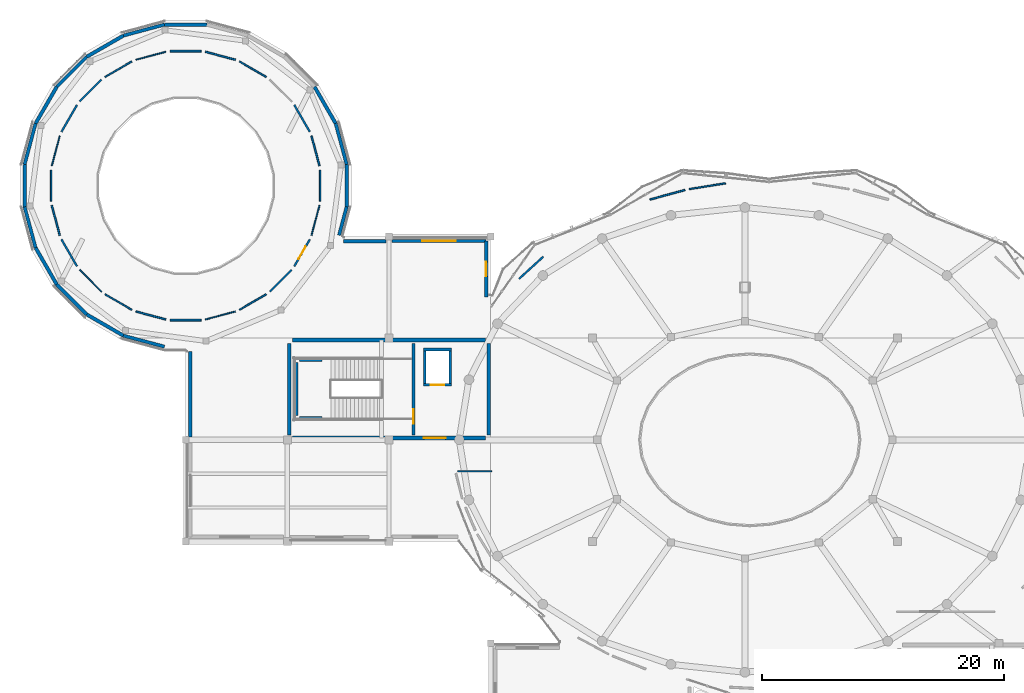
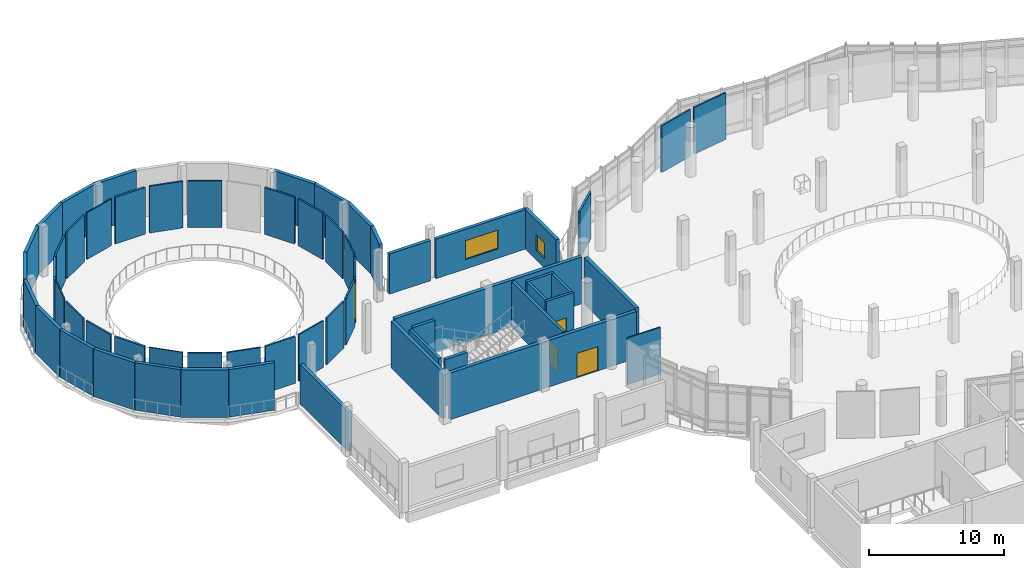
# One storey, part 30 of 46: 59 walls, 4 doors, 2 windows, 6 openings.
"""IFC4 building model written with IfcOpenShell, lengths in metres."""

import ifcopenshell
import ifcopenshell.guid

model = None  # the IFC model being written
_history = None  # IfcOwnerHistory: only IFC2X3 demands one
_inside = {}  # id of a spatial element -> (the spatial element, [elements in it])
_under = {}  # id of a project, library or spatial element -> (it, [spatial elements below it])
_declared = {}  # id of a project -> (the project, [libraries it declares])
_typed = {}  # id of a type object -> (the type object, [elements of that type])
_made_of = {}  # id of a material, layer set ... -> (it, [elements and type objects made of it])


def new_model(schema):
    """Start an empty IFC model of exactly this schema.

    Asked for "IFC4X3", IfcOpenShell would pick the latest addendum, in which some entities
    have other attributes; the version numbers below select the first issue.
    IFC2X3 requires an IfcOwnerHistory on every rooted entity: one is made here for all.
    """
    global model, _history
    if schema == "IFC4X3":
        model = ifcopenshell.file(schema_version=(4, 3, 0, 0))
    else:
        model = ifcopenshell.file(schema=schema)
    _inside.clear()
    _under.clear()
    _declared.clear()
    _typed.clear()
    _made_of.clear()
    _history = None
    if model.schema == "IFC2X3":
        org = make("IfcOrganization", Name="unknown")
        user = make(
            "IfcPersonAndOrganization",
            ThePerson=make("IfcPerson", FamilyName="unknown"),
            TheOrganization=org,
        )
        app = make(
            "IfcApplication",
            ApplicationDeveloper=org,
            Version="unknown",
            ApplicationFullName="unknown",
            ApplicationIdentifier="unknown",
        )
        _history = make(
            "IfcOwnerHistory",
            OwningUser=user,
            OwningApplication=app,
            ChangeAction="ADDED",
            CreationDate=0,
        )
    return model


def make(cls, **values):
    """One entity of the class cls with the attributes given. An attribute that is None is left unset."""
    return model.create_entity(
        cls, **{name: value for name, value in values.items() if value is not None}
    )


def rooted(cls, **values):
    """An entity with a GlobalId (a new one), such as an element, a storey or a relation."""
    return make(cls, GlobalId=ifcopenshell.guid.new(), OwnerHistory=_history, **values)


def si_unit(unit_type, name, prefix=None):
    """IfcSIUnit, for example si_unit("LENGTHUNIT", "METRE", prefix="MILLI")."""
    return make("IfcSIUnit", UnitType=unit_type, Prefix=prefix, Name=name)


def derived_unit(unit_type, elements):
    """IfcDerivedUnit: a product of units, each with its exponent."""
    return make(
        "IfcDerivedUnit",
        Elements=[
            make("IfcDerivedUnitElement", Unit=unit, Exponent=power)
            for unit, power in elements
        ],
        UnitType=unit_type,
    )


def assignment(units):
    """IfcUnitAssignment: the units of a project."""
    return None if units is None else make("IfcUnitAssignment", Units=units)


def point(xyz):
    """IfcCartesianPoint."""
    return None if xyz is None else make("IfcCartesianPoint", Coordinates=xyz)


def direction(xyz):
    """IfcDirection."""
    return None if xyz is None else make("IfcDirection", DirectionRatios=xyz)


def frame(location, z_axis=None, x_axis=None):
    """IfcAxis2Placement3D, a coordinate frame: its origin and axes. An axis left out is left unset."""
    return make(
        "IfcAxis2Placement3D",
        Location=point(location),
        Axis=direction(z_axis),
        RefDirection=direction(x_axis),
    )


def frame_2d(location, x_axis=None):
    """IfcAxis2Placement2D, a coordinate frame in the plane: its origin and x axis."""
    return make(
        "IfcAxis2Placement2D", Location=point(location), RefDirection=direction(x_axis)
    )


def origin():
    """The frame at (0, 0, 0) with its axes left unset."""
    return frame((0.0, 0.0, 0.0))


def place(relative_to, where):
    """IfcLocalPlacement: puts the frame where relative to a parent placement (None: the world)."""
    return make(
        "IfcLocalPlacement", PlacementRelTo=relative_to, RelativePlacement=where
    )


def context(
    kind, dimensions, precision=None, world=None, true_north=None, identifier=None
):
    """IfcGeometricRepresentationContext, for example the 3D "Model" context."""
    return make(
        "IfcGeometricRepresentationContext",
        ContextIdentifier=identifier,
        ContextType=kind,
        CoordinateSpaceDimension=dimensions,
        Precision=precision,
        WorldCoordinateSystem=world,
        TrueNorth=true_north,
    )


def subcontext(parent, identifier, kind, view, scale=None):
    """IfcGeometricRepresentationSubContext, for example "Body" below "Model"."""
    return make(
        "IfcGeometricRepresentationSubContext",
        ContextIdentifier=identifier,
        ContextType=kind,
        ParentContext=parent,
        TargetScale=scale,
        TargetView=view,
    )


def project(units=None, contexts=None):
    """IfcProject with its units and contexts."""
    return rooted(
        "IfcProject",
        Name="project",
        RepresentationContexts=contexts,
        UnitsInContext=assignment(units),
    )


def spatial(cls, under=None, at=None, **own):
    """A site, building, storey or space (cls), placed at a placement, below another one or the project."""
    s = rooted(cls, ObjectPlacement=at, **own)
    if under is not None:
        _under.setdefault(under.id(), (under, []))[1].append(s)
    return s


def profile(cls, at=None, kind="AREA", **sizes):
    """A parametric profile (cls). Its sizes go by their IFC names, for example OverallWidth=200.0."""
    return make(cls, ProfileType=kind, Position=at, **sizes)


def rectangle(**sizes):
    """IfcRectangleProfileDef."""
    return profile("IfcRectangleProfileDef", **sizes)


def extrude(swept, where, along, depth):
    """IfcExtrudedAreaSolid: the profile swept, set in the frame where, extruded along a direction by depth."""
    return make(
        "IfcExtrudedAreaSolid",
        SweptArea=swept,
        Position=where,
        ExtrudedDirection=direction(along),
        Depth=depth,
    )


def shape(context_of_items, identifier, shape_type, items):
    """IfcShapeRepresentation: the items that make up one representation, for example the "Body"."""
    return make(
        "IfcShapeRepresentation",
        ContextOfItems=context_of_items,
        RepresentationIdentifier=identifier,
        RepresentationType=shape_type,
        Items=items,
    )


def material(Name=None, Category=None):
    """IfcMaterial."""
    return make("IfcMaterial", Name=Name, Category=Category)


def layer(
    of_material, thickness, ventilated=None, Name=None, Category=None, Priority=None
):
    """IfcMaterialLayer: one layer of a wall or slab, of a material (None: an air gap)."""
    return make(
        "IfcMaterialLayer",
        Material=of_material,
        LayerThickness=thickness,
        IsVentilated=ventilated,
        Name=Name,
        Category=Category,
        Priority=Priority,
    )


def layer_set(layers, Name=None):
    """IfcMaterialLayerSet."""
    return make("IfcMaterialLayerSet", MaterialLayers=layers, LayerSetName=Name)


def made_of(thing, what):
    """Note that an element or type object is made of a material, layer set ...; save() writes the relation."""
    if what is not None:
        _made_of.setdefault(what.id(), (what, []))[1].append(thing)
    return thing


def type_object(cls, material=None, **own):
    """A type object (cls), such as IfcWallType, which elements share."""
    return made_of(rooted(cls, **own), material)


def element(
    cls,
    number,
    at=None,
    inside=None,
    cuts=None,
    type_object=None,
    material=None,
    context=None,
    identifier="Body",
    shape_type=None,
    held_by="IfcProductDefinitionShape",
    body=None,
    shapes=None,
    **own,
):
    """One element of the class cls, such as IfcWall. Its Tag is "e" and its number.

    at: its placement. inside: the storey or other place that contains it. cuts: it is an
    opening in that element (IfcRelVoidsElement). A single representation is given by context,
    identifier, shape_type and body (its items); several are given by shapes. held_by: the class
    of the entity that holds the representations. save() writes the other relations.
    """
    e = rooted(cls, Tag="e%d" % number, ObjectPlacement=at, **own)
    if body is not None:
        shapes = [shape(context, identifier, shape_type, body)]
    if shapes is not None:
        e.Representation = make(held_by, Representations=shapes)
    if inside is not None:
        _inside.setdefault(inside.id(), (inside, []))[1].append(e)
    if cuts is not None:
        rooted(
            "IfcRelVoidsElement", RelatingBuildingElement=cuts, RelatedOpeningElement=e
        )
    if type_object is not None:
        _typed.setdefault(type_object.id(), (type_object, []))[1].append(e)
    return made_of(e, material)


def fill(opening, filler):
    """IfcRelFillsElement: the door or window that sits in an opening."""
    return rooted(
        "IfcRelFillsElement",
        RelatingOpeningElement=opening,
        RelatedBuildingElement=filler,
    )


def aggregate(whole, parts):
    """IfcRelAggregates: a whole, such as a stair, and the parts it consists of."""
    return rooted("IfcRelAggregates", RelatingObject=whole, RelatedObjects=parts)


def save(model, path):
    """Write the relations noted so far, then the file.

    IfcRelAggregates (storeys below a building ...), IfcRelContainedInSpatialStructure (elements
    in a storey), IfcRelDefinesByType, IfcRelAssociatesMaterial and IfcRelDeclares: one each for
    every whole, place, type object, material and project.
    """
    for whole, parts in _under.values():
        aggregate(whole, parts)
    for where, things in _inside.values():
        rooted(
            "IfcRelContainedInSpatialStructure",
            RelatedElements=things,
            RelatingStructure=where,
        )
    for kind, things in _typed.values():
        rooted("IfcRelDefinesByType", RelatedObjects=things, RelatingType=kind)
    for what, things in _made_of.values():
        rooted("IfcRelAssociatesMaterial", RelatedObjects=things, RelatingMaterial=what)
    for by, libraries in _declared.values():
        rooted("IfcRelDeclares", RelatingContext=by, RelatedDefinitions=libraries)
    model.write(path)


model = new_model("IFC4")

# Units and contexts
model_context = context("Model", 3, precision=1e-05, world=origin(), true_north=direction((0.0, 1.0)))
body_context = subcontext(model_context, "Body", "Model", "MODEL_VIEW")
ifc_project = project(units=[si_unit("LENGTHUNIT", "METRE"), si_unit("AREAUNIT", "SQUARE_METRE"), si_unit("VOLUMEUNIT", "CUBIC_METRE"), si_unit("PLANEANGLEUNIT", "RADIAN"), si_unit("MASSUNIT", "GRAM", prefix="KILO"), derived_unit("THERMALTRANSMITTANCEUNIT", [(si_unit("POWERUNIT", "WATT"), 1), (si_unit("LENGTHUNIT", "METRE"), -2), (si_unit("THERMODYNAMICTEMPERATUREUNIT", "KELVIN"), -1)])], contexts=[model_context])

# Site, building, storey
site_placement = place(None, origin())
site = spatial("IfcSite", under=ifc_project, at=site_placement, CompositionType="ELEMENT")
building_placement = place(site_placement, origin())
building = spatial("IfcBuilding", under=site, at=building_placement, Name="Elbkamm Science Centre", CompositionType="ELEMENT")
storey_placement = place(building_placement, frame((0.0, 0.0, 9.89990234375)))
storey = spatial("IfcBuildingStorey", under=building, at=storey_placement, Name="L02", CompositionType="ELEMENT", Elevation=9.89990234375)

# Walls
ifc_material_1 = material(Name="Reinforced concrete C40/50", Category="concrete")
ifc_layer_1 = layer(ifc_material_1, 0.25)
ifc_layer_set_1 = layer_set([ifc_layer_1], Name="Reinforced concrete C40/50")
wall_type_1 = type_object("IfcWallType", Name="WL-CORE-250", PredefinedType="SHEAR", material=ifc_layer_set_1)
wall_1_placement = place(storey_placement, frame((25.93994140625, 69.219970703125, 0.0), z_axis=(0.0, 0.0, 1.0), x_axis=(0.0, 1.0, 0.0)))
element("IfcWall", 1, at=wall_1_placement, inside=storey, type_object=wall_type_1, Name="L02 ST-C1 Shaft Bearing Wall W", PredefinedType="SHEAR", context=body_context, shape_type="SweptSolid", body=[
    extrude(rectangle(XDim=4.360107421875, YDim=0.25, at=frame_2d((2.18017578125, 0.0))), origin(), (0.0, 0.0, 1.0), 4.22021484375),
])
for number, where, z_axis, x_axis, name in (
    (2, (26.18994140625, 69.02001953125, 0.0), (0.0, 0.0, 1.0), (1.0, 0.0, 0.0), "L02 ST-C1 Shaft Bearing Wall S"),
    (3, (26.18994140625, 73.780029296875, 0.0), (0.0, 0.0, 1.0), (1.0, 0.0, 0.0), "L02 ST-C1 Shaft Bearing Wall N"),
):
    element("IfcWall", number, at=place(storey_placement, frame(where, z_axis=z_axis, x_axis=x_axis)), inside=storey, type_object=wall_type_1, Name=name, PredefinedType="SHEAR", context=body_context, shape_type="SweptSolid", body=[
        extrude(rectangle(XDim=1.89013671875, YDim=0.25, at=frame_2d((0.945068359375, 0.0))), origin(), (0.0, 0.0, 1.0), 4.22021484375),
    ])

# Wall, opening, door
wall_2_placement = place(storey_placement, frame((35.6201171875, 67.6201171875, 0.0), z_axis=(0.0, 0.0, 1.0), x_axis=(0.0, 1.0, 0.0)))
wall_2 = element("IfcWall", 4, at=wall_2_placement, inside=storey, type_object=wall_type_1, Name="L02 C1 Stairwell Compartment Wall", PredefinedType="SHEAR", context=body_context, shape_type="SweptSolid", body=[
    extrude(rectangle(XDim=7.559814453125, YDim=0.25, at=frame_2d((3.77978515625, 0.0))), origin(), (0.0, 0.0, 1.0), 4.22021484375),
])
opening_1_placement = place(wall_2_placement, frame((0.89990234375, 0.0, 0.0)))
opening_1 = element("IfcOpeningElement", 5, at=opening_1_placement, cuts=wall_2, Name="Opening DC-02", PredefinedType="OPENING", context=body_context, shape_type="SweptSolid", body=[
    extrude(rectangle(XDim=1.199951171875, YDim=2.199951171875, at=frame_2d((0.60009765625, 1.10009765625))), frame((0.0, 0.136962890625, 0.0), z_axis=(0.0, -1.0, 0.0), x_axis=(1.0, 0.0, 0.0)), (0.0, 0.0, 1.0), 0.27392578125),
])
ifc_material_2 = material(Name="Fire-rated steel acoustic door", Category="steel")
ifc_layer_2 = layer(ifc_material_2, 0.050048828125)
ifc_layer_set_2 = layer_set([ifc_layer_2], Name="Fire-rated steel acoustic door")
door_type_1 = type_object("IfcDoorType", Name="DR-CORE-1200x2200", OperationType="NOTDEFINED", PredefinedType="DOOR", material=ifc_layer_set_2)
door_1_placement = place(opening_1_placement, origin())
door_1 = element("IfcDoor", 6, at=door_1_placement, inside=storey, type_object=door_type_1, Name="L02 ST-C1 Stairwell Fire Door", OperationType="SINGLE_SWING_RIGHT", OverallHeight=2.199951171875, OverallWidth=1.199951171875, PredefinedType="DOOR", context=body_context, shape_type="SweptSolid", body=[
    extrude(rectangle(XDim=1.199951171875, YDim=2.199951171875, at=frame_2d((0.60009765625, 1.10009765625))), frame((0.0, 0.02490234375, 0.0), z_axis=(0.0, -1.0, 0.0), x_axis=(1.0, 0.0, 0.0)), (0.0, 0.0, 1.0), 0.050048828125),
])
fill(opening_1, door_1)

ifc_layer_3 = layer(ifc_material_1, 0.300048828125)
ifc_layer_set_3 = layer_set([ifc_layer_3], Name="Reinforced concrete C40/50")
wall_type_2 = type_object("IfcWallType", Name="WL-CORE-300", PredefinedType="SHEAR", material=ifc_layer_set_3)
wall_3_placement = place(storey_placement, frame((25.6201171875, 67.35009765625, 0.0), z_axis=(0.0, 0.0, 1.0), x_axis=(1.0, 0.0, 0.0)))
wall_3 = element("IfcWall", 7, at=wall_3_placement, inside=storey, type_object=wall_type_2, Name="L02 Core C1 Northwest Planetarium and Exhibition Core Shear Wall S", PredefinedType="SHEAR", context=body_context, shape_type="SweptSolid", body=[
    extrude(rectangle(XDim=15.9599609375, YDim=0.300048828125, at=frame_2d((7.97998046875, 0.0))), origin(), (0.0, 0.0, 1.0), 4.22021484375),
])
opening_2_placement = place(wall_3_placement, frame((10.860107421875, 0.0, 0.0)))
opening_2 = element("IfcOpeningElement", 8, at=opening_2_placement, cuts=wall_3, Name="Opening DC-01", PredefinedType="OPENING", context=body_context, shape_type="SweptSolid", body=[
    extrude(rectangle(XDim=1.800048828125, YDim=2.199951171875, at=frame_2d((0.89990234375, 1.10009765625))), frame((0.0, 0.162109375, 0.0), z_axis=(0.0, -1.0, 0.0), x_axis=(1.0, 0.0, 0.0)), (0.0, 0.0, 1.0), 0.323974609375),
])
ifc_layer_4 = layer(ifc_material_2, 0.050048828125)
ifc_layer_set_4 = layer_set([ifc_layer_4], Name="Fire-rated steel acoustic door")
door_type_2 = type_object("IfcDoorType", Name="DR-CORE-1800x2200", OperationType="DOUBLE_DOOR_SINGLE_SWING", PredefinedType="DOOR", material=ifc_layer_set_4)
door_2_placement = place(opening_2_placement, origin())
door_2 = element("IfcDoor", 9, at=door_2_placement, inside=storey, type_object=door_type_2, Name="L02 C1 Core Lobby Fire Door", OperationType="DOUBLE_DOOR_SINGLE_SWING", OverallHeight=2.199951171875, OverallWidth=1.800048828125, PredefinedType="DOOR", context=body_context, shape_type="SweptSolid", body=[
    extrude(rectangle(XDim=1.800048828125, YDim=2.199951171875, at=frame_2d((0.89990234375, 1.10009765625))), frame((0.0, 0.02490234375, 0.0), z_axis=(0.0, -1.0, 0.0), x_axis=(1.0, 0.0, 0.0)), (0.0, 0.0, 1.0), 0.050048828125),
])
fill(opening_2, door_2)

# Walls
wall_4_placement = place(storey_placement, frame((25.6201171875, 75.449951171875, 0.0), z_axis=(0.0, 0.0, 1.0), x_axis=(1.0, 0.0, 0.0)))
element("IfcWall", 10, at=wall_4_placement, inside=storey, type_object=wall_type_2, Name="L02 Core C1 Northwest Planetarium and Exhibition Core Shear Wall N", PredefinedType="SHEAR", context=body_context, shape_type="SweptSolid", body=[
    extrude(rectangle(XDim=15.9599609375, YDim=0.300048828125, at=frame_2d((7.97998046875, 0.0))), origin(), (0.0, 0.0, 1.0), 4.22021484375),
])
for number, where, z_axis, x_axis, name in (
    (11, (25.35009765625, 67.6201171875, 0.0), (0.0, 0.0, 1.0), (0.0, 1.0, 0.0), "L02 Core C1 Northwest Planetarium and Exhibition Core Shear Wall W"),
    (12, (41.85009765625, 67.6201171875, 0.0), (0.0, 0.0, 1.0), (0.0, 1.0, 0.0), "L02 Core C1 Northwest Planetarium and Exhibition Core Shear Wall E"),
):
    element("IfcWall", number, at=place(storey_placement, frame(where, z_axis=z_axis, x_axis=x_axis)), inside=storey, type_object=wall_type_2, Name=name, PredefinedType="SHEAR", context=body_context, shape_type="SweptSolid", body=[
        extrude(rectangle(XDim=7.559814453125, YDim=0.300048828125, at=frame_2d((3.77978515625, 0.0))), origin(), (0.0, 0.0, 1.0), 4.22021484375),
    ])
ifc_material_3 = material(Name="White precast concrete C40/50", Category="concrete")
ifc_layer_5 = layer(ifc_material_3, 0.27001953125)
ifc_layer_set_5 = layer_set([ifc_layer_5], Name="White precast concrete C40/50")
wall_type_3 = type_object("IfcWallType", Name="WL-EXT-270", PredefinedType="SOLIDWALL", material=ifc_layer_set_5)
wall_5_placement = place(storey_placement, frame((4.404541015625, 83.065673828125, 0.0), z_axis=(0.0, 0.0, 1.0), x_axis=(-0.258820868777, 0.965925337635, 0.0)))
element("IfcWall", 13, at=wall_5_placement, inside=storey, type_object=wall_type_3, Name="L02 Exterior Wall 0209", PredefinedType="SOLIDWALL", context=body_context, shape_type="SweptSolid", body=[
    extrude(rectangle(XDim=3.50244140625, YDim=0.27001953125, at=frame_2d((1.751220703125, 0.0))), origin(), (0.0, 0.0, 1.0), 4.2900390625),
])
wall_6_placement = place(storey_placement, frame((3.498046875, 89.951416015625, 0.0), z_axis=(0.0, 0.0, 1.0), x_axis=(0.25883829669, 0.965920667636, 0.0)))
element("IfcWall", 14, at=wall_6_placement, inside=storey, type_object=wall_type_3, Name="L02 Exterior Wall 0211", PredefinedType="SOLIDWALL", context=body_context, shape_type="SweptSolid", body=[
    extrude(rectangle(XDim=3.502197265625, YDim=0.27001953125, at=frame_2d((1.7509765625, 0.0))), origin(), (0.0, 0.0, 1.0), 4.2900390625),
])
wall_7_placement = place(storey_placement, frame((6.15576171875, 96.36767578125, 0.0), z_axis=(0.0, 0.0, 1.0), x_axis=(0.707106781187, 0.707106781187, 0.0)))
element("IfcWall", 15, at=wall_7_placement, inside=storey, type_object=wall_type_3, Name="L02 Exterior Wall 0213", PredefinedType="SOLIDWALL", context=body_context, shape_type="SweptSolid", body=[
    extrude(rectangle(XDim=3.50244140625, YDim=0.27001953125, at=frame_2d((1.751220703125, 0.0))), origin(), (0.0, 0.0, 1.0), 4.2900390625),
])
for number, where, z_axis, x_axis, name in (
    (16, (11.665771484375, 100.595458984375, 0.0), (0.0, 0.0, 1.0), (0.965920667636, 0.25883829669, 0.0), "L02 Exterior Wall 0215"),
    (17, (29.1953125, 93.334228515625, 0.0), (0.0, 0.0, 1.0), (0.25883829669, -0.965920667636, 0.0), "L02 Exterior Wall 0221"),
):
    element("IfcWall", number, at=place(storey_placement, frame(where, z_axis=z_axis, x_axis=x_axis)), inside=storey, type_object=wall_type_3, Name=name, PredefinedType="SOLIDWALL", context=body_context, shape_type="SweptSolid", body=[
        extrude(rectangle(XDim=3.502197265625, YDim=0.27001953125, at=frame_2d((1.7509765625, 0.0))), origin(), (0.0, 0.0, 1.0), 4.2900390625),
    ])
wall_8_placement = place(storey_placement, frame((30.101806640625, 86.44873046875, 0.0), z_axis=(0.0, 0.0, 1.0), x_axis=(-0.258767848858, -0.965939542827, 0.0)))
element("IfcWall", 18, at=wall_8_placement, inside=storey, type_object=wall_type_3, Name="L02 Exterior Wall 0223", PredefinedType="SOLIDWALL", context=body_context, shape_type="SweptSolid", body=[
    extrude(rectangle(XDim=2.43310546875, YDim=0.27001953125, at=frame_2d((1.216552734375, 0.0))), origin(), (0.0, 0.0, 1.0), 4.2900390625),
])

# Wall, opening, window
wall_9_placement = place(storey_placement, frame((33.839111328125, 83.6201171875, 0.0), z_axis=(0.0, 0.0, 1.0), x_axis=(1.0, 0.0, 0.0)))
wall_9 = element("IfcWall", 19, at=wall_9_placement, inside=storey, type_object=wall_type_3, Name="L02 Exterior Wall 0225", PredefinedType="SOLIDWALL", context=body_context, shape_type="SweptSolid", body=[
    extrude(rectangle(XDim=7.781005859375, YDim=0.27001953125, at=frame_2d((3.890625, 0.0))), origin(), (0.0, 0.0, 1.0), 3.580078125),
])
opening_3_placement = place(wall_9_placement, frame((2.490478515625, 0.0, 0.85009765625)))
opening_3 = element("IfcOpeningElement", 20, at=opening_3_placement, cuts=wall_9, Name="Opening W-20", PredefinedType="OPENING", context=body_context, shape_type="SweptSolid", body=[
    extrude(rectangle(XDim=2.800048828125, YDim=1.699951171875, at=frame_2d((1.39990234375, 0.85009765625))), frame((0.0, 0.14697265625, 0.0), z_axis=(0.0, -1.0, 0.0), x_axis=(1.0, 0.0, 0.0)), (0.0, 0.0, 1.0), 0.2939453125),
])
ifc_material_4 = material(Name="Thermally broken aluminium and triple solar glass", Category="aluminium")
ifc_layer_6 = layer(ifc_material_4, 0.06005859375)
ifc_layer_set_6 = layer_set([ifc_layer_6], Name="Thermally broken aluminium and triple solar glass")
window_type_1 = type_object("IfcWindowType", Name="WIN-2800x1700", PartitioningType="DOUBLE_PANEL_VERTICAL", PredefinedType="WINDOW", material=ifc_layer_set_6)
window_1_placement = place(opening_3_placement, origin())
window_1 = element("IfcWindow", 21, at=window_1_placement, inside=storey, type_object=window_type_1, Name="L02 Facade Window 0039", OverallHeight=1.699951171875, OverallWidth=2.800048828125, PartitioningType="SINGLE_PANEL", PredefinedType="WINDOW", context=body_context, shape_type="SweptSolid", body=[
    extrude(rectangle(XDim=2.800048828125, YDim=1.699951171875, at=frame_2d((1.39990234375, 0.85009765625))), frame((0.0, 0.030029296875, 0.0), z_axis=(0.0, -1.0, 0.0), x_axis=(1.0, 0.0, 0.0)), (0.0, 0.0, 1.0), 0.06005859375),
])
fill(opening_3, window_1)

# Walls
wall_10_placement = place(storey_placement, frame((15.048583984375, 74.898193359375, 0.0), z_axis=(0.0, 0.0, 1.0), x_axis=(-0.965920667636, 0.25883829669, 0.0)))
element("IfcWall", 22, at=wall_10_placement, inside=storey, type_object=wall_type_3, Name="L02 Exterior Wall 0255", PredefinedType="SOLIDWALL", context=body_context, shape_type="SweptSolid", body=[
    extrude(rectangle(XDim=3.502197265625, YDim=0.27001953125, at=frame_2d((1.7509765625, 0.0))), origin(), (0.0, 0.0, 1.0), 4.2900390625),
])
wall_11_placement = place(storey_placement, frame((8.63232421875, 77.555908203125, 0.0), z_axis=(0.0, 0.0, 1.0), x_axis=(-0.707106781187, 0.707106781187, 0.0)))
element("IfcWall", 23, at=wall_11_placement, inside=storey, type_object=wall_type_3, Name="L02 Exterior Wall 0257", PredefinedType="SOLIDWALL", context=body_context, shape_type="SweptSolid", body=[
    extrude(rectangle(XDim=3.50244140625, YDim=0.27001953125, at=frame_2d((1.751220703125, 0.0))), origin(), (0.0, 0.0, 1.0), 4.2900390625),
])
ifc_layer_7 = layer(ifc_material_3, 0.2900390625)
ifc_layer_set_7 = layer_set([ifc_layer_7], Name="White precast concrete C40/50")
wall_type_4 = type_object("IfcWallType", Name="WL-EXT-290", PredefinedType="SOLIDWALL", material=ifc_layer_set_7)
for number, where, z_axis, x_axis, name in (
    (24, (3.498046875, 86.44873046875, 0.0), (0.0, 0.0, 1.0), (0.0, 1.0, 0.0), "L02 Exterior Wall 0210"),
    (25, (4.404541015625, 93.334228515625, 0.0), (0.0, 0.0, 1.0), (0.499969831364, 0.866042820954, 0.0), "L02 Exterior Wall 0212"),
    (26, (8.63232421875, 98.84423828125, 0.0), (0.0, 0.0, 1.0), (0.866042820954, 0.499969831364, 0.0), "L02 Exterior Wall 0214"),
    (27, (15.048583984375, 101.501953125, 0.0), (0.0, 0.0, 1.0), (1.0, 0.0, 0.0), "L02 Exterior Wall 0216"),
    (28, (27.444091796875, 96.36767578125, 0.0), (0.0, 0.0, 1.0), (0.499969831364, -0.866042820954, 0.0), "L02 Exterior Wall 0220"),
    (29, (30.101806640625, 89.951416015625, 0.0), (0.0, 0.0, 1.0), (0.0, -1.0, 0.0), "L02 Exterior Wall 0222"),
):
    element("IfcWall", number, at=place(storey_placement, frame(where, z_axis=z_axis, x_axis=x_axis)), inside=storey, type_object=wall_type_4, Name=name, PredefinedType="SOLIDWALL", context=body_context, shape_type="SweptSolid", body=[
        extrude(rectangle(XDim=3.502685546875, YDim=0.2900390625, at=frame_2d((1.75146484375, 0.0))), origin(), (0.0, 0.0, 1.0), 4.2900390625),
    ])
wall_12_placement = place(storey_placement, frame((29.839111328125, 83.6201171875, 0.0), z_axis=(0.0, 0.0, 1.0), x_axis=(1.0, 0.0, 0.0)))
element("IfcWall", 30, at=wall_12_placement, inside=storey, type_object=wall_type_4, Name="L02 Exterior Wall 0224", PredefinedType="SOLIDWALL", context=body_context, shape_type="SweptSolid", body=[
    extrude(rectangle(XDim=3.521728515625, YDim=0.2900390625, at=frame_2d((1.7607421875, 0.0))), origin(), (0.0, 0.0, 1.0), 3.630126953125),
])

# Wall, opening, window
wall_13_placement = place(storey_placement, frame((41.6201171875, 83.6201171875, 0.0), z_axis=(0.0, 0.0, 1.0), x_axis=(0.0, -1.0, 0.0)))
wall_13 = element("IfcWall", 31, at=wall_13_placement, inside=storey, type_object=wall_type_4, Name="L02 Exterior Wall 0226", PredefinedType="SOLIDWALL", context=body_context, shape_type="SweptSolid", body=[
    extrude(rectangle(XDim=4.637939453125, YDim=0.2900390625, at=frame_2d((2.31884765625, 0.0))), origin(), (0.0, 0.0, 1.0), 3.580078125),
])
opening_4_placement = place(wall_13_placement, frame((1.718994140625, 0.0, 0.85009765625)))
opening_4 = element("IfcOpeningElement", 32, at=opening_4_placement, cuts=wall_13, Name="Opening W-01", PredefinedType="OPENING", context=body_context, shape_type="SweptSolid", body=[
    extrude(rectangle(XDim=1.199951171875, YDim=1.39990234375, at=frame_2d((0.60009765625, 0.699951171875))), frame((0.0, 0.156982421875, 0.0), z_axis=(0.0, -1.0, 0.0), x_axis=(1.0, 0.0, 0.0)), (0.0, 0.0, 1.0), 0.31396484375),
])
ifc_layer_8 = layer(ifc_material_4, 0.06005859375)
ifc_layer_set_8 = layer_set([ifc_layer_8], Name="Thermally broken aluminium and triple solar glass")
window_type_2 = type_object("IfcWindowType", Name="WIN-1200x1400", PartitioningType="SINGLE_PANEL", PredefinedType="WINDOW", material=ifc_layer_set_8)
window_2_placement = place(opening_4_placement, origin())
window_2 = element("IfcWindow", 33, at=window_2_placement, inside=storey, type_object=window_type_2, Name="L02 Facade Window 0040", OverallHeight=1.39990234375, OverallWidth=1.199951171875, PartitioningType="SINGLE_PANEL", PredefinedType="WINDOW", context=body_context, shape_type="SweptSolid", body=[
    extrude(rectangle(XDim=1.199951171875, YDim=1.39990234375, at=frame_2d((0.60009765625, 0.699951171875))), frame((0.0, 0.030029296875, 0.0), z_axis=(0.0, -1.0, 0.0), x_axis=(1.0, 0.0, 0.0)), (0.0, 0.0, 1.0), 0.06005859375),
])
fill(opening_4, window_2)

# Walls
wall_14_placement = place(storey_placement, frame((17.179931640625, 67.439208984375, 0.0), z_axis=(0.0, 0.0, 1.0), x_axis=(0.0, 1.0, 0.0)))
element("IfcWall", 34, at=wall_14_placement, inside=storey, type_object=wall_type_4, Name="L02 Exterior Wall 0254", PredefinedType="SOLIDWALL", context=body_context, shape_type="SweptSolid", body=[
    extrude(rectangle(XDim=7.078857421875, YDim=0.2900390625, at=frame_2d((3.53955078125, 0.0))), origin(), (0.0, 0.0, 1.0), 3.580078125),
])
wall_15_placement = place(storey_placement, frame((11.665771484375, 75.8046875, 0.0), z_axis=(0.0, 0.0, 1.0), x_axis=(-0.866042820954, 0.499969831364, 0.0)))
element("IfcWall", 35, at=wall_15_placement, inside=storey, type_object=wall_type_4, Name="L02 Exterior Wall 0256", PredefinedType="SOLIDWALL", context=body_context, shape_type="SweptSolid", body=[
    extrude(rectangle(XDim=3.502685546875, YDim=0.2900390625, at=frame_2d((1.75146484375, 0.0))), origin(), (0.0, 0.0, 1.0), 4.2900390625),
])
wall_16_placement = place(storey_placement, frame((6.15576171875, 80.032470703125, 0.0), z_axis=(0.0, 0.0, 1.0), x_axis=(-0.500000013362, 0.86602539607, 0.0)))
element("IfcWall", 36, at=wall_16_placement, inside=storey, type_object=wall_type_4, Name="L02 Exterior Wall 0258", PredefinedType="SOLIDWALL", context=body_context, shape_type="SweptSolid", body=[
    extrude(rectangle(XDim=3.50244140625, YDim=0.2900390625, at=frame_2d((1.751220703125, 0.0))), origin(), (0.0, 0.0, 1.0), 4.2900390625),
])
ifc_material_5 = material(Name="Drywall service partition", Category="gypsum")
ifc_layer_9 = layer(ifc_material_5, 0.10009765625)
ifc_layer_set_9 = layer_set([ifc_layer_9], Name="Drywall service partition")
wall_type_5 = type_object("IfcWallType", Name="WL-PART-100", PredefinedType="PARTITIONING", material=ifc_layer_set_9)
for number, where, z_axis, x_axis, name in (
    (37, (20.912109375, 77.805908203125, 0.0), (0.0, 0.0, 1.0), (-0.965921270769, -0.258836045938, 0.0), "L02 Planetarium Acoustic Gallery Partition 0139"),
    (38, (9.8544921875, 79.441650390625, 0.0), (0.0, 0.0, 1.0), (-0.707059166172, 0.707154392995, 0.0), "L02 Planetarium Acoustic Gallery Partition 0143"),
):
    element("IfcWall", number, at=place(storey_placement, frame(where, z_axis=z_axis, x_axis=x_axis)), inside=storey, type_object=wall_type_5, Name=name, PredefinedType="PARTITIONING", context=body_context, shape_type="SweptSolid", body=[
        extrude(rectangle(XDim=2.563720703125, YDim=0.10009765625, at=frame_2d((1.28173828125, 0.0))), origin(), (0.0, 0.0, 1.0), 4.22021484375),
    ])
for number, where, z_axis, x_axis, name in (
    (39, (5.742431640625, 89.835693359375, 0.0), (0.0, 0.0, 1.0), (0.258812239014, 0.965927649949, 0.0), "L02 Planetarium Acoustic Gallery Partition 0147"),
    (40, (12.687744140625, 98.593994140625, 0.0), (0.0, 0.0, 1.0), (0.965927649949, 0.258812239014, 0.0), "L02 Planetarium Acoustic Gallery Partition 0151"),
):
    element("IfcWall", number, at=place(storey_placement, frame(where, z_axis=z_axis, x_axis=x_axis)), inside=storey, type_object=wall_type_5, Name=name, PredefinedType="PARTITIONING", context=body_context, shape_type="SweptSolid", body=[
        extrude(rectangle(XDim=2.56396484375, YDim=0.10009765625, at=frame_2d((1.281982421875, 0.0))), origin(), (0.0, 0.0, 1.0), 4.22021484375),
    ])
wall_17_placement = place(storey_placement, frame((27.857666015625, 86.564208984375, 0.0), z_axis=(0.0, 0.0, 1.0), x_axis=(-0.258836045938, -0.965921270769, 0.0)))
element("IfcWall", 41, at=wall_17_placement, inside=storey, type_object=wall_type_5, Name="L02 Planetarium Acoustic Gallery Partition 0159", PredefinedType="PARTITIONING", context=body_context, shape_type="SweptSolid", body=[
    extrude(rectangle(XDim=2.563720703125, YDim=0.10009765625, at=frame_2d((1.28173828125, 0.0))), origin(), (0.0, 0.0, 1.0), 4.22021484375),
])
wall_18_placement = place(storey_placement, frame((39.268310546875, 64.60009765625, 0.0), z_axis=(0.0, 0.0, 1.0), x_axis=(1.0, 0.0, 0.0)))
element("IfcWall", 42, at=wall_18_placement, inside=storey, type_object=wall_type_5, Name="L02 Earth and Climate Exhibition Hall Partition 0171", PredefinedType="PARTITIONING", context=body_context, shape_type="SweptSolid", body=[
    extrude(rectangle(XDim=2.8017578125, YDim=0.10009765625, at=frame_2d((1.40087890625, 0.0))), origin(), (0.0, 0.0, 1.0), 4.22021484375),
])
ifc_material_6 = material(Name="Lightweight metal-stud gypsum partition", Category="gypsum")
ifc_layer_10 = layer(ifc_material_6, 0.125)
ifc_layer_set_10 = layer_set([ifc_layer_10], Name="Lightweight metal-stud gypsum partition")
wall_type_6 = type_object("IfcWallType", Name="WL-PART-125", PredefinedType="PARTITIONING", material=ifc_layer_set_10)
for number, where, z_axis, x_axis, name in (
    (43, (23.462158203125, 79.224365234375, 0.0), (0.0, 0.0, 1.0), (-0.866001624648, -0.50004118441, 0.0), "L02 Planetarium Acoustic Gallery Partition 0138"),
    (44, (12.35791015625, 77.9423828125, 0.0), (0.0, 0.0, 1.0), (-0.866001624648, 0.50004118441, 0.0), "L02 Planetarium Acoustic Gallery Partition 0142"),
    (45, (5.69580078125, 86.918212890625, 0.0), (0.0, 0.0, 1.0), (0.0, 1.0, 0.0), "L02 Planetarium Acoustic Gallery Partition 0146"),
    (46, (10.1376953125, 97.175537109375, 0.0), (0.0, 0.0, 1.0), (0.866001624648, 0.50004118441, 0.0), "L02 Planetarium Acoustic Gallery Partition 0150"),
    (47, (21.241943359375, 98.45751953125, 0.0), (0.0, 0.0, 1.0), (0.866001624648, -0.50004118441, 0.0), "L02 Planetarium Acoustic Gallery Partition 0154"),
    (48, (27.904296875, 89.48193359375, 0.0), (0.0, 0.0, 1.0), (0.0, -1.0, 0.0), "L02 Planetarium Acoustic Gallery Partition 0158"),
):
    element("IfcWall", number, at=place(storey_placement, frame(where, z_axis=z_axis, x_axis=x_axis)), inside=storey, type_object=wall_type_6, Name=name, PredefinedType="PARTITIONING", context=body_context, shape_type="SweptSolid", body=[
        extrude(rectangle(XDim=2.563720703125, YDim=0.125, at=frame_2d((1.28173828125, 0.0))), origin(), (0.0, 0.0, 1.0), 4.22021484375),
    ])
wall_19_placement = place(storey_placement, frame((58.396728515625, 87.91259765625, 0.0), z_axis=(0.0, 0.0, 1.0), x_axis=(0.987512608984, 0.157539985708, 0.0)))
element("IfcWall", 49, at=wall_19_placement, inside=storey, type_object=wall_type_6, Name="L02 Earth and Climate Exhibition Hall Partition 0174", PredefinedType="PARTITIONING", context=body_context, shape_type="SweptSolid", body=[
    extrude(rectangle(XDim=3.043701171875, YDim=0.125, at=frame_2d((1.52197265625, 0.0))), origin(), (0.0, 0.0, 1.0), 4.22021484375),
])
ifc_material_7 = material(Name="Acoustic metal-stud gypsum partition", Category="gypsum")
ifc_layer_11 = layer(ifc_material_7, 0.139892578125)
ifc_layer_set_11 = layer_set([ifc_layer_11], Name="Acoustic metal-stud gypsum partition")
wall_type_7 = type_object("IfcWallType", Name="WL-PART-140", PredefinedType="PARTITIONING", material=ifc_layer_set_11)
for number, where, z_axis, x_axis, name in (
    (50, (25.558349609375, 81.254638671875, 0.0), (0.0, 0.0, 1.0), (-0.707106781187, -0.707106781187, 0.0), "L02 Planetarium Acoustic Gallery Partition 0137"),
    (51, (15.164306640625, 77.142333984375, 0.0), (0.0, 0.0, 1.0), (-0.965927649949, 0.258812239014, 0.0), "L02 Planetarium Acoustic Gallery Partition 0141"),
):
    element("IfcWall", number, at=place(storey_placement, frame(where, z_axis=z_axis, x_axis=x_axis)), inside=storey, type_object=wall_type_7, Name=name, PredefinedType="PARTITIONING", context=body_context, shape_type="SweptSolid", body=[
        extrude(rectangle(XDim=2.56396484375, YDim=0.139892578125, at=frame_2d((1.281982421875, 0.0))), origin(), (0.0, 0.0, 1.0), 4.22021484375),
    ])
for number, where, z_axis, x_axis, name in (
    (52, (6.406005859375, 84.087890625, 0.0), (0.0, 0.0, 1.0), (-0.258836045938, 0.965921270769, 0.0), "L02 Planetarium Acoustic Gallery Partition 0145"),
    (53, (8.041748046875, 95.1455078125, 0.0), (0.0, 0.0, 1.0), (0.707106781187, 0.707106781187, 0.0), "L02 Planetarium Acoustic Gallery Partition 0149"),
    (54, (18.435791015625, 99.257568359375, 0.0), (0.0, 0.0, 1.0), (0.965921270769, -0.258836045938, 0.0), "L02 Planetarium Acoustic Gallery Partition 0153"),
):
    element("IfcWall", number, at=place(storey_placement, frame(where, z_axis=z_axis, x_axis=x_axis)), inside=storey, type_object=wall_type_7, Name=name, PredefinedType="PARTITIONING", context=body_context, shape_type="SweptSolid", body=[
        extrude(rectangle(XDim=2.563720703125, YDim=0.139892578125, at=frame_2d((1.28173828125, 0.0))), origin(), (0.0, 0.0, 1.0), 4.22021484375),
    ])
wall_20_placement = place(storey_placement, frame((27.194091796875, 92.312255859375, 0.0), z_axis=(0.0, 0.0, 1.0), x_axis=(0.258812239014, -0.965927649949, 0.0)))
element("IfcWall", 55, at=wall_20_placement, inside=storey, type_object=wall_type_7, Name="L02 Planetarium Acoustic Gallery Partition 0157", PredefinedType="PARTITIONING", context=body_context, shape_type="SweptSolid", body=[
    extrude(rectangle(XDim=2.56396484375, YDim=0.139892578125, at=frame_2d((1.281982421875, 0.0))), origin(), (0.0, 0.0, 1.0), 4.22021484375),
])
wall_21_placement = place(storey_placement, frame((55.1474609375, 87.048828125, 0.0), z_axis=(0.0, 0.0, 1.0), x_axis=(0.964928729266, 0.262511994844, 0.0)))
element("IfcWall", 56, at=wall_21_placement, inside=storey, type_object=wall_type_7, Name="L02 Earth and Climate Exhibition Hall Partition 0173", PredefinedType="PARTITIONING", context=body_context, shape_type="SweptSolid", body=[
    extrude(rectangle(XDim=3.0029296875, YDim=0.139892578125, at=frame_2d((1.50146484375, 0.0))), origin(), (0.0, 0.0, 1.0), 4.22021484375),
])

# Wall, opening, door
ifc_layer_12 = layer(ifc_material_7, 0.159912109375)
ifc_layer_set_12 = layer_set([ifc_layer_12], Name="Acoustic metal-stud gypsum partition")
wall_type_8 = type_object("IfcWallType", Name="WL-PART-160", PredefinedType="PARTITIONING", material=ifc_layer_set_12)
wall_22_placement = place(storey_placement, frame((27.0576171875, 83.758056640625, 0.0), z_axis=(0.0, 0.0, 1.0), x_axis=(-0.50004118441, -0.866001624648, 0.0)))
wall_22 = element("IfcWall", 57, at=wall_22_placement, inside=storey, type_object=wall_type_8, Name="L02 Planetarium Acoustic Gallery Partition 0136", PredefinedType="PARTITIONING", context=body_context, shape_type="SweptSolid", body=[
    extrude(rectangle(XDim=2.563720703125, YDim=0.159912109375, at=frame_2d((1.28173828125, 0.0))), origin(), (0.0, 0.0, 1.0), 4.22021484375),
])
opening_5_placement = place(wall_22_placement, frame((0.681884765625, 0.0, 0.0)))
opening_5 = element("IfcOpeningElement", 58, at=opening_5_placement, cuts=wall_22, Name="Opening DI-04", PredefinedType="OPENING", context=body_context, shape_type="SweptSolid", body=[
    extrude(rectangle(XDim=1.199951171875, YDim=2.199951171875, at=frame_2d((0.60009765625, 1.10009765625))), frame((0.0, 0.091796875, 0.0), z_axis=(0.0, -1.0, 0.0), x_axis=(1.0, 0.0, 0.0)), (0.0, 0.0, 1.0), 0.183837890625),
])
ifc_material_8 = material(Name="Acoustic oak veneer door")
ifc_layer_13 = layer(ifc_material_8, 0.050048828125)
ifc_layer_set_13 = layer_set([ifc_layer_13], Name="Acoustic oak veneer door")
door_type_3 = type_object("IfcDoorType", Name="DR-INT-1200x2200", OperationType="NOTDEFINED", PredefinedType="DOOR", material=ifc_layer_set_13)
door_3_placement = place(opening_5_placement, origin())
door_3 = element("IfcDoor", 59, at=door_3_placement, inside=storey, type_object=door_type_3, Name="L02 Planetarium Acoustic Gallery Door", OperationType="SINGLE_SWING_RIGHT", OverallHeight=2.199951171875, OverallWidth=1.199951171875, PredefinedType="DOOR", context=body_context, shape_type="SweptSolid", body=[
    extrude(rectangle(XDim=1.199951171875, YDim=2.199951171875, at=frame_2d((0.60009765625, 1.10009765625))), frame((0.0, 0.02490234375, 0.0), z_axis=(0.0, -1.0, 0.0), x_axis=(1.0, 0.0, 0.0)), (0.0, 0.0, 1.0), 0.050048828125),
])
fill(opening_5, door_3)

# Walls
for number, where, z_axis, x_axis, name in (
    (60, (18.081787109375, 77.095703125, 0.0), (0.0, 0.0, 1.0), (-1.0, 0.0, 0.0), "L02 Planetarium Acoustic Gallery Partition 0140"),
    (61, (7.824462890625, 81.537841796875, 0.0), (0.0, 0.0, 1.0), (-0.50004118441, 0.866001624648, 0.0), "L02 Planetarium Acoustic Gallery Partition 0144"),
    (62, (6.54248046875, 92.64208984375, 0.0), (0.0, 0.0, 1.0), (0.50004118441, 0.866001624648, 0.0), "L02 Planetarium Acoustic Gallery Partition 0148"),
    (63, (15.51806640625, 99.30419921875, 0.0), (0.0, 0.0, 1.0), (1.0, 0.0, 0.0), "L02 Planetarium Acoustic Gallery Partition 0152"),
    (64, (25.775634765625, 94.8623046875, 0.0), (0.0, 0.0, 1.0), (0.50004118441, -0.866001624648, 0.0), "L02 Planetarium Acoustic Gallery Partition 0156"),
):
    element("IfcWall", number, at=place(storey_placement, frame(where, z_axis=z_axis, x_axis=x_axis)), inside=storey, type_object=wall_type_8, Name=name, PredefinedType="PARTITIONING", context=body_context, shape_type="SweptSolid", body=[
        extrude(rectangle(XDim=2.563720703125, YDim=0.159912109375, at=frame_2d((1.28173828125, 0.0))), origin(), (0.0, 0.0, 1.0), 4.22021484375),
    ])
wall_23_placement = place(storey_placement, frame((44.346923828125, 80.50537109375, 0.0), z_axis=(0.0, 0.0, 1.0), x_axis=(0.73811753605, 0.674672144804, 0.0)))
element("IfcWall", 65, at=wall_23_placement, inside=storey, type_object=wall_type_8, Name="L02 Earth and Climate Exhibition Hall Partition 0172", PredefinedType="PARTITIONING", context=body_context, shape_type="SweptSolid", body=[
    extrude(rectangle(XDim=2.701416015625, YDim=0.159912109375, at=frame_2d((1.3505859375, 0.0))), origin(), (0.0, 0.0, 1.0), 4.22021484375),
])
ifc_layer_14 = layer(ifc_material_1, 0.219970703125)
ifc_layer_set_14 = layer_set([ifc_layer_14], Name="Reinforced concrete C40/50")
wall_type_9 = type_object("IfcWallType", Name="WL-SHAFT-220", PredefinedType="SOLIDWALL", material=ifc_layer_set_14)
for number, where, z_axis, x_axis, name in (
    (66, (36.5400390625, 71.85009765625, 0.0), (0.0, 0.0, 1.0), (0.0, 1.0, 0.0), "L02 Lift FF1 Shaft West Wall"),
    (67, (38.659912109375, 71.85009765625, 0.0), (0.0, 0.0, 1.0), (0.0, 1.0, 0.0), "L02 Lift FF1 Shaft East Wall"),
):
    element("IfcWall", number, at=place(storey_placement, frame(where, z_axis=z_axis, x_axis=x_axis)), inside=storey, type_object=wall_type_9, Name=name, PredefinedType="SOLIDWALL", context=body_context, shape_type="SweptSolid", body=[
        extrude(rectangle(XDim=2.699951171875, YDim=0.219970703125, at=frame_2d((1.35009765625, 0.0))), origin(), (0.0, 0.0, 1.0), 4.22021484375),
    ])
wall_24_placement = place(storey_placement, frame((36.429931640625, 74.659912109375, 0.0), z_axis=(0.0, 0.0, 1.0), x_axis=(1.0, 0.0, 0.0)))
element("IfcWall", 68, at=wall_24_placement, inside=storey, type_object=wall_type_9, Name="L02 Lift FF1 Shaft Back Wall", PredefinedType="SOLIDWALL", context=body_context, shape_type="SweptSolid", body=[
    extrude(rectangle(XDim=2.340087890625, YDim=0.219970703125, at=frame_2d((1.169921875, 0.0))), origin(), (0.0, 0.0, 1.0), 4.22021484375),
])

# Wall, opening, door
wall_25_placement = place(storey_placement, frame((36.429931640625, 71.739990234375, 0.0), z_axis=(0.0, 0.0, 1.0), x_axis=(1.0, 0.0, 0.0)))
wall_25 = element("IfcWall", 69, at=wall_25_placement, inside=storey, type_object=wall_type_9, Name="L02 Lift FF1 Shaft Front Wall", PredefinedType="SOLIDWALL", context=body_context, shape_type="SweptSolid", body=[
    extrude(rectangle(XDim=2.340087890625, YDim=0.219970703125, at=frame_2d((1.169921875, 0.0))), origin(), (0.0, 0.0, 1.0), 4.22021484375),
])
opening_6_placement = place(wall_25_placement, frame((0.6201171875, 0.0, 0.0)))
opening_6 = element("IfcOpeningElement", 70, at=opening_6_placement, cuts=wall_25, Name="Opening LD-01", PredefinedType="OPENING", context=body_context, shape_type="SweptSolid", body=[
    extrude(rectangle(XDim=1.10009765625, YDim=2.14990234375, at=frame_2d((0.550048828125, 1.074951171875))), frame((0.0, 0.1220703125, 0.0), z_axis=(0.0, -1.0, 0.0), x_axis=(1.0, 0.0, 0.0)), (0.0, 0.0, 1.0), 0.243896484375),
])
ifc_material_9 = material(Name="Stainless steel lift landing door", Category="steel")
ifc_layer_15 = layer(ifc_material_9, 0.050048828125)
ifc_layer_set_15 = layer_set([ifc_layer_15], Name="Stainless steel lift landing door")
door_type_4 = type_object("IfcDoorType", Name="DR-LIFT-1100x2150", OperationType="DOUBLE_DOOR_SLIDING", PredefinedType="DOOR", material=ifc_layer_set_15)
door_4_placement = place(opening_6_placement, origin())
door_4 = element("IfcDoor", 71, at=door_4_placement, inside=storey, type_object=door_type_4, Name="L02 Lift FF1 Sliding Landing Door", OperationType="DOUBLE_DOOR_SLIDING", OverallHeight=2.14990234375, OverallWidth=1.10009765625, PredefinedType="DOOR", context=body_context, shape_type="SweptSolid", body=[
    extrude(rectangle(XDim=1.10009765625, YDim=2.14990234375, at=frame_2d((0.550048828125, 1.074951171875))), frame((0.0, 0.02490234375, 0.0), z_axis=(0.0, -1.0, 0.0), x_axis=(1.0, 0.0, 0.0)), (0.0, 0.0, 1.0), 0.050048828125),
])
fill(opening_6, door_4)

save(model, "model.ifc")
